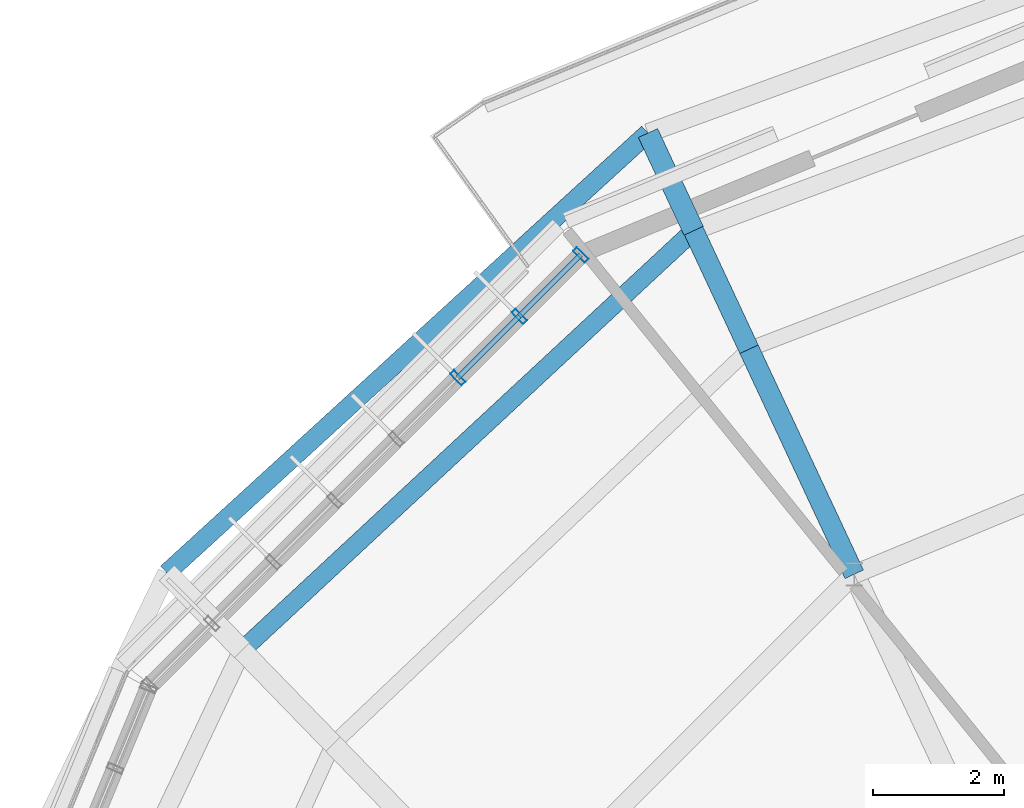
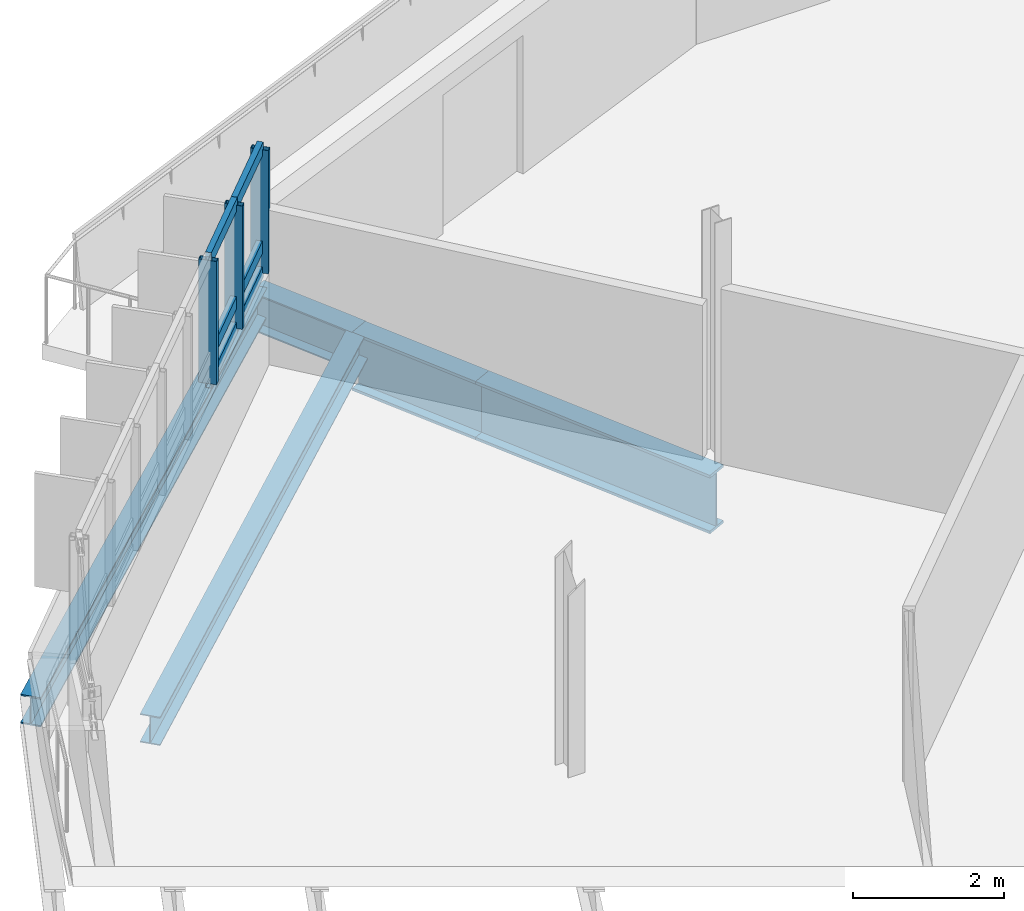
# One storey, part 17 of 31: 9 members, 5 beams, 1 element without a shape of its own.
"""IFC4 building model written with IfcOpenShell, lengths in metres."""

from ifc_helpers import new_model, si_unit, derived_unit, direction, frame, origin, origin_2d, place, context, subcontext, project, spatial, hollow_rectangle, i_section, extrude, material, layer, layer_set, material_profile, profile_set, type_object, element, aggregate, save


model = new_model("IFC4")

# Units and contexts
model_context = context("Model", 3, precision=1e-05, world=origin(), true_north=direction((0.0, 1.0)))
body_context = subcontext(model_context, "Body", "Model", "MODEL_VIEW")
ifc_project = project(units=[si_unit("LENGTHUNIT", "METRE"), si_unit("AREAUNIT", "SQUARE_METRE"), si_unit("VOLUMEUNIT", "CUBIC_METRE"), si_unit("PLANEANGLEUNIT", "RADIAN"), si_unit("MASSUNIT", "GRAM", prefix="KILO"), derived_unit("THERMALTRANSMITTANCEUNIT", [(si_unit("MASSUNIT", "GRAM", prefix="KILO"), 1), (si_unit("TIMEUNIT", "SECOND"), -3), (si_unit("THERMODYNAMICTEMPERATUREUNIT", "KELVIN"), -1)])], contexts=[model_context])

# Site, building, storey
site_placement = place(None, origin())
site = spatial("IfcSite", under=ifc_project, at=site_placement, CompositionType="ELEMENT")
building_placement = place(site_placement, origin())
building = spatial("IfcBuilding", under=site, at=building_placement, Name="Makaiwela Harbour Ferry Terminal", CompositionType="ELEMENT")
storey_placement = place(building_placement, frame((0.0, 0.0, 21.60009765625)))
storey = spatial("IfcBuildingStorey", under=building, at=storey_placement, Name="L05", CompositionType="ELEMENT", Elevation=21.60009765625)

# Curtain wall, members
ifc_material_1 = material(Name="Marine anodised aluminium 6063-T6", Category="aluminium")
ifc_layer = layer(ifc_material_1, 0.199951171875)
ifc_layer_set = layer_set([ifc_layer], Name="Marine anodised aluminium 6063-T6")
curtain_wall_type = type_object("IfcCurtainWallType", Name="ENV-CW-07", PredefinedType="USERDEFINED", material=ifc_layer_set)
curtain_wall_placement = place(storey_placement, origin())
curtain_wall = element("IfcCurtainWall", 1, at=curtain_wall_placement, inside=storey, type_object=curtain_wall_type, Name="Unitised Curtain Wall CWA-061", ObjectType="UNITIZED CURTAIN WALL", PredefinedType="USERDEFINED")
ifc_material_profile_1 = material_profile(ifc_material_1, hollow_rectangle(XDim=0.0849609375, YDim=0.25, WallThickness=0.0048828125, at=origin_2d()), Name="CWM-250X85")
ifc_profile_set_1 = profile_set([ifc_material_profile_1], Name="Marine anodised aluminium 6063-T6")
member_type_1 = type_object("IfcMemberType", Name="CW-MUL-250", PredefinedType="MULLION", material=ifc_profile_set_1)
member_1_placement = place(storey_placement, frame((22.195068359375, 89.0341796875, 1.47998046875), z_axis=(0.0, 0.0, 1.0), x_axis=(0.707106781187, 0.707106781187, 0.0)))
member_1 = element("IfcMember", 2, at=member_1_placement, type_object=member_type_1, Name="Curtain Wall Mullion CWA-061-1", PredefinedType="MULLION", context=body_context, shape_type="SweptSolid", body=[
    extrude(hollow_rectangle(XDim=0.0849609375, YDim=0.25, WallThickness=0.0048828125, at=origin_2d()), origin(), (0.0, 0.0, 1.0), 2.0),
])
member_2_placement = place(storey_placement, frame((21.255126953125, 88.09423828125, 1.47998046875), z_axis=(0.0, 0.0, 1.0), x_axis=(0.707106781187, 0.707106781187, 0.0)))
member_2 = element("IfcMember", 3, at=member_2_placement, type_object=member_type_1, Name="Curtain Wall Mullion CWA-061-2", PredefinedType="MULLION", context=body_context, shape_type="SweptSolid", body=[
    extrude(hollow_rectangle(XDim=0.0849609375, YDim=0.25, WallThickness=0.0048828125, at=origin_2d()), origin(), (0.0, 0.0, 1.0), 2.0),
])
member_3_placement = place(storey_placement, frame((20.315185546875, 87.154296875, 1.47998046875), z_axis=(0.0, 0.0, 1.0), x_axis=(0.707106781187, 0.707106781187, 0.0)))
member_3 = element("IfcMember", 4, at=member_3_placement, type_object=member_type_1, Name="Curtain Wall Mullion CWA-061-3", PredefinedType="MULLION", context=body_context, shape_type="SweptSolid", body=[
    extrude(hollow_rectangle(XDim=0.0849609375, YDim=0.25, WallThickness=0.0048828125, at=origin_2d()), origin(), (0.0, 0.0, 1.0), 2.0),
])
ifc_material_profile_2 = material_profile(ifc_material_1, hollow_rectangle(XDim=0.0849609375, YDim=0.199951171875, WallThickness=0.0048828125, at=origin_2d()), Name="CWT-200X85")
ifc_profile_set_2 = profile_set([ifc_material_profile_2], Name="Marine anodised aluminium 6063-T6")
member_type_2 = type_object("IfcMemberType", Name="CW-TRN-200", PredefinedType="USERDEFINED", material=ifc_profile_set_2)
member_4_placement = place(storey_placement, frame((22.195068359375, 89.0341796875, 1.47998046875), z_axis=(-0.707106781187, -0.707106781187, 0.0), x_axis=(0.707106781187, -0.707106781187, 0.0)))
member_4 = element("IfcMember", 5, at=member_4_placement, type_object=member_type_2, Name="Curtain Wall Transom CWA-061-1-1", ObjectType="TRANSOM", PredefinedType="USERDEFINED", context=body_context, shape_type="SweptSolid", body=[
    extrude(hollow_rectangle(XDim=0.0849609375, YDim=0.199951171875, WallThickness=0.0048828125, at=origin_2d()), origin(), (0.0, 0.0, 1.0), 1.329345703125),
])
member_5_placement = place(storey_placement, frame((22.195068359375, 89.0341796875, 1.89990234375), z_axis=(-0.707106781187, -0.707106781187, 0.0), x_axis=(0.707106781187, -0.707106781187, 0.0)))
member_5 = element("IfcMember", 6, at=member_5_placement, type_object=member_type_2, Name="Curtain Wall Transom CWA-061-1-2", ObjectType="TRANSOM", PredefinedType="USERDEFINED", context=body_context, shape_type="SweptSolid", body=[
    extrude(hollow_rectangle(XDim=0.0849609375, YDim=0.199951171875, WallThickness=0.0048828125, at=origin_2d()), origin(), (0.0, 0.0, 1.0), 1.329345703125),
])
member_6_placement = place(storey_placement, frame((22.195068359375, 89.0341796875, 3.47998046875), z_axis=(-0.707106781187, -0.707106781187, 0.0), x_axis=(0.707106781187, -0.707106781187, 0.0)))
member_6 = element("IfcMember", 7, at=member_6_placement, type_object=member_type_2, Name="Curtain Wall Transom CWA-061-1-3", ObjectType="TRANSOM", PredefinedType="USERDEFINED", context=body_context, shape_type="SweptSolid", body=[
    extrude(hollow_rectangle(XDim=0.0849609375, YDim=0.199951171875, WallThickness=0.0048828125, at=origin_2d()), origin(), (0.0, 0.0, 1.0), 1.329345703125),
])
member_7_placement = place(storey_placement, frame((21.255126953125, 88.09423828125, 1.47998046875), z_axis=(-0.707106781187, -0.707106781187, 0.0), x_axis=(0.707106781187, -0.707106781187, 0.0)))
member_7 = element("IfcMember", 8, at=member_7_placement, type_object=member_type_2, Name="Curtain Wall Transom CWA-061-2-1", ObjectType="TRANSOM", PredefinedType="USERDEFINED", context=body_context, shape_type="SweptSolid", body=[
    extrude(hollow_rectangle(XDim=0.0849609375, YDim=0.199951171875, WallThickness=0.0048828125, at=origin_2d()), origin(), (0.0, 0.0, 1.0), 1.329345703125),
])
member_8_placement = place(storey_placement, frame((21.255126953125, 88.09423828125, 1.89990234375), z_axis=(-0.707106781187, -0.707106781187, 0.0), x_axis=(0.707106781187, -0.707106781187, 0.0)))
member_8 = element("IfcMember", 9, at=member_8_placement, type_object=member_type_2, Name="Curtain Wall Transom CWA-061-2-2", ObjectType="TRANSOM", PredefinedType="USERDEFINED", context=body_context, shape_type="SweptSolid", body=[
    extrude(hollow_rectangle(XDim=0.0849609375, YDim=0.199951171875, WallThickness=0.0048828125, at=origin_2d()), origin(), (0.0, 0.0, 1.0), 1.329345703125),
])
member_9_placement = place(storey_placement, frame((21.255126953125, 88.09423828125, 3.47998046875), z_axis=(-0.707106781187, -0.707106781187, 0.0), x_axis=(0.707106781187, -0.707106781187, 0.0)))
member_9 = element("IfcMember", 10, at=member_9_placement, type_object=member_type_2, Name="Curtain Wall Transom CWA-061-2-3", ObjectType="TRANSOM", PredefinedType="USERDEFINED", context=body_context, shape_type="SweptSolid", body=[
    extrude(hollow_rectangle(XDim=0.0849609375, YDim=0.199951171875, WallThickness=0.0048828125, at=origin_2d()), origin(), (0.0, 0.0, 1.0), 1.329345703125),
])
aggregate(curtain_wall, [member_1, member_2, member_3, member_4, member_5, member_6, member_7, member_8, member_9])

# Beams
ifc_material_2 = material(Name="Steel ASTM A992 Grade 50", Category="steel")
ifc_material_profile_3 = material_profile(ifc_material_2, i_section(OverallWidth=0.280029296875, OverallDepth=0.462890625, WebThickness=0.0107421875, FlangeThickness=0.017333984375, at=origin_2d()), Name="W18X76")
ifc_profile_set_3 = profile_set([ifc_material_profile_3], Name="Steel ASTM A992 Grade 50")
beam_type_1 = type_object("IfcBeamType", Name="STR-BM-W18X76", PredefinedType="BEAM", material=ifc_profile_set_3)
beam_1_placement = place(storey_placement, frame((23.92138671875, 89.40185546875, -0.481689453125), z_axis=(-0.732663441999, -0.680591125977, 0.0), x_axis=(0.680591125977, -0.732663441999, 0.0)))
element("IfcBeam", 11, at=beam_1_placement, inside=storey, type_object=beam_type_1, Name="Drum stage2 tie girder 588", PredefinedType="BEAM", context=body_context, shape_type="SweptSolid", body=[
    extrude(i_section(OverallWidth=0.280029296875, OverallDepth=0.462890625, WebThickness=0.0107421875, FlangeThickness=0.017333984375, at=origin_2d()), origin(), (0.0, 0.0, 1.0), 9.428466796875),
])
ifc_material_profile_4 = material_profile(ifc_material_2, i_section(OverallWidth=0.324951171875, OverallDepth=0.615966796875, WebThickness=0.013916015625, FlangeThickness=0.021484375, at=origin_2d()), Name="W24X117")
ifc_profile_set_4 = profile_set([ifc_material_profile_4], Name="Steel ASTM A992 Grade 50")
beam_type_2 = type_object("IfcBeamType", Name="STR-GRD-W24X117", PredefinedType="USERDEFINED", material=ifc_profile_set_4)
beam_2_placement = place(storey_placement, frame((23.92138671875, 89.40185546875, -0.55810546875), z_axis=(-0.423379579508, 0.905952389287, 0.0), x_axis=(-0.905952389287, -0.423379579508, 0.0)))
element("IfcBeam", 12, at=beam_2_placement, inside=storey, type_object=beam_type_2, Name="Promenade terrace bracket 544", ObjectType="GIRDER", PredefinedType="USERDEFINED", context=body_context, shape_type="SweptSolid", body=[
    extrude(i_section(OverallWidth=0.324951171875, OverallDepth=0.615966796875, WebThickness=0.013916015625, FlangeThickness=0.021484375, at=origin_2d()), origin(), (0.0, 0.0, 1.0), 1.64990234375),
])
ifc_material_profile_5 = material_profile(ifc_material_2, i_section(OverallWidth=0.31005859375, OverallDepth=0.949951171875, WebThickness=0.0244140625, FlangeThickness=0.0439453125, at=origin_2d()), Name="W36X256")
ifc_profile_set_5 = profile_set([ifc_material_profile_5], Name="Steel ASTM A992 Grade 50")
beam_type_3 = type_object("IfcBeamType", Name="STR-GRD-W36X256", PredefinedType="USERDEFINED", material=ifc_profile_set_5)
beam_3_placement = place(storey_placement, frame((26.37744140625, 84.1474609375, -0.72509765625), z_axis=(-0.423465730758, 0.905912123152, 0.0), x_axis=(-0.905912123152, -0.423465730758, 0.0)))
element("IfcBeam", 13, at=beam_3_placement, inside=storey, type_object=beam_type_3, Name="Drum radial overhang 542", ObjectType="GIRDER", PredefinedType="USERDEFINED", context=body_context, shape_type="SweptSolid", body=[
    extrude(i_section(OverallWidth=0.31005859375, OverallDepth=0.949951171875, WebThickness=0.0244140625, FlangeThickness=0.0439453125, at=origin_2d()), origin(), (0.0, 0.0, 1.0), 3.7998046875),
])
beam_4_placement = place(storey_placement, frame((24.768310546875, 87.58984375, -0.72509765625), z_axis=(-0.423426642, 0.90593039404, 0.0), x_axis=(-0.90593039404, -0.423426642, 0.0)))
element("IfcBeam", 14, at=beam_4_placement, inside=storey, type_object=beam_type_3, Name="Drum overhang radial girder 543", ObjectType="GIRDER", PredefinedType="USERDEFINED", context=body_context, shape_type="SweptSolid", body=[
    extrude(i_section(OverallWidth=0.31005859375, OverallDepth=0.949951171875, WebThickness=0.0244140625, FlangeThickness=0.0439453125, at=origin_2d()), origin(), (0.0, 0.0, 1.0), 2.000244140625),
])
ifc_material_profile_6 = material_profile(ifc_material_2, i_section(OverallWidth=0.283935546875, OverallDepth=0.47607421875, WebThickness=0.014892578125, FlangeThickness=0.02392578125, at=origin_2d()), Name="W18X106")
ifc_profile_set_6 = profile_set([ifc_material_profile_6], Name="Steel ASTM A992 Grade 50")
beam_type_4 = type_object("IfcBeamType", Name="STR-SPN-W18X106", PredefinedType="SPANDREL", material=ifc_profile_set_6)
beam_5_placement = place(storey_placement, frame((23.222900390625, 90.896484375, -0.488037109375), z_axis=(-0.738046928899, -0.674749383655, 0.0), x_axis=(0.674749383655, -0.738046928899, 0.0)))
element("IfcBeam", 15, at=beam_5_placement, inside=storey, type_object=beam_type_4, Name="Drum perimeter spandrel 607", PredefinedType="SPANDREL", context=body_context, shape_type="SweptSolid", body=[
    extrude(i_section(OverallWidth=0.283935546875, OverallDepth=0.47607421875, WebThickness=0.014892578125, FlangeThickness=0.02392578125, at=origin_2d()), origin(), (0.0, 0.0, 1.0), 9.970458984375),
])

save(model, "model.ifc")
